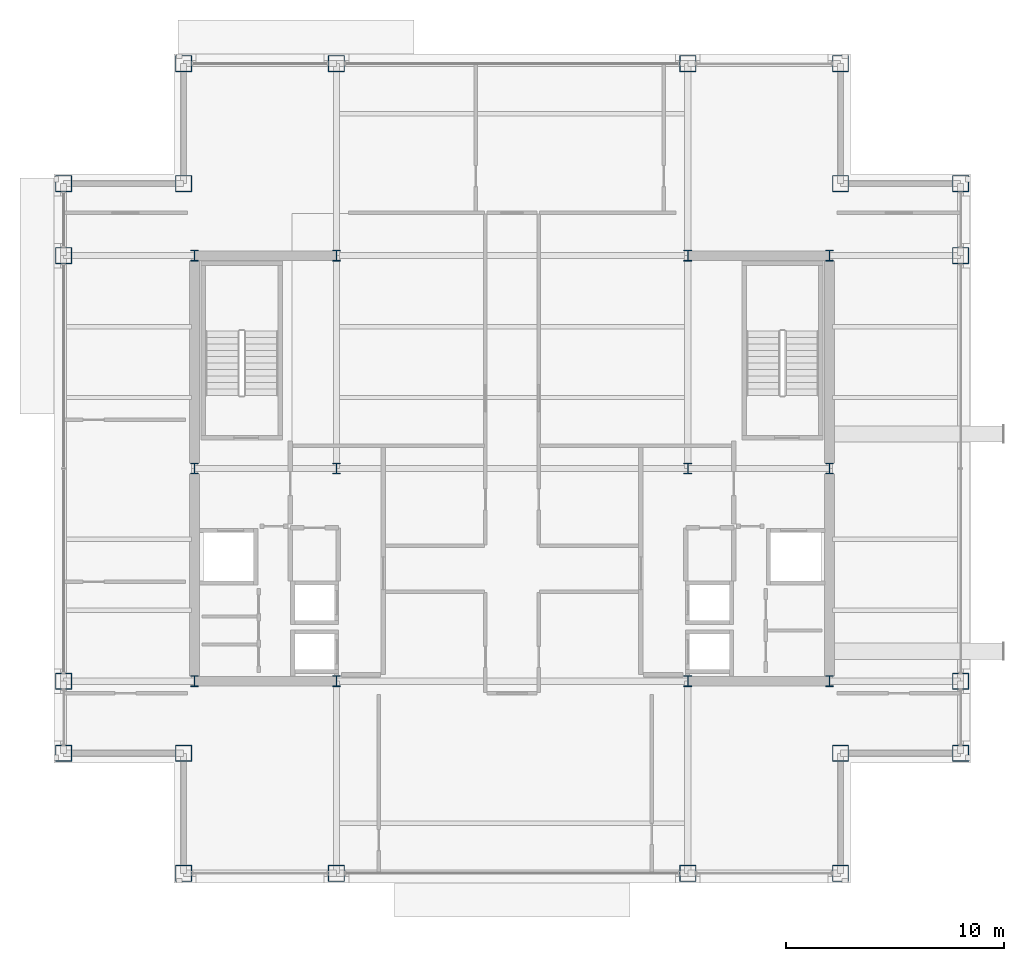
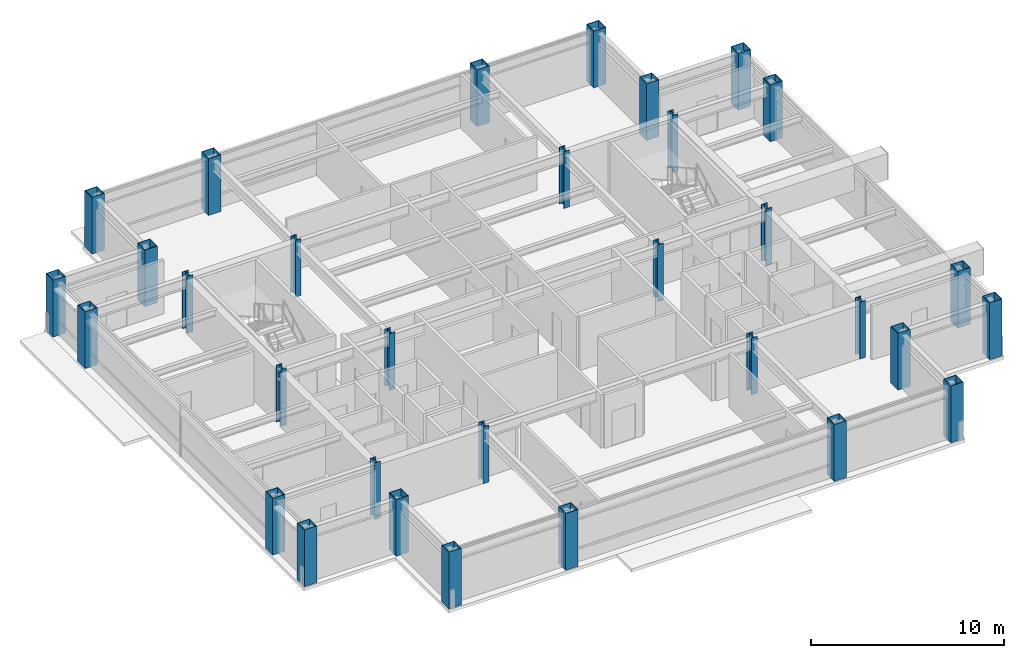
# One storey, part 1 of 26: 32 columns.
"""IFC4 building model written with IfcOpenShell, lengths in metres."""

from ifc_helpers import new_model, si_unit, direction, frame, origin, origin_2d, place, context, subcontext, project, spatial, hollow_rectangle, i_section, extrude, material, material_profile, profile_set, type_object, element, save


model = new_model("IFC4")

# Units and contexts
model_context = context("Model", 3, precision=1e-05, world=origin(), true_north=direction((0.0, 1.0)))
body_context = subcontext(model_context, "Body", "Model", "MODEL_VIEW")
ifc_project = project(units=[si_unit("LENGTHUNIT", "METRE"), si_unit("AREAUNIT", "SQUARE_METRE"), si_unit("VOLUMEUNIT", "CUBIC_METRE"), si_unit("PLANEANGLEUNIT", "RADIAN"), si_unit("MASSUNIT", "GRAM", prefix="KILO")], contexts=[model_context])

# Site, building, storey
site_placement = place(None, origin())
site = spatial("IfcSite", under=ifc_project, at=site_placement, CompositionType="ELEMENT")
building_placement = place(site_placement, origin())
building = spatial("IfcBuilding", under=site, at=building_placement, Name="Brelmoor Portico Tower", CompositionType="ELEMENT")
storey_placement = place(building_placement, frame((0.0, 0.0, 180.300048828125)))
storey = spatial("IfcBuildingStorey", under=building, at=storey_placement, Name="L47", CompositionType="ELEMENT", Elevation=180.300048828125)

# Columns
ifc_material = material(Name="Steel Q355B", Category="steel")
ifc_material_profile_1 = material_profile(ifc_material, hollow_rectangle(XDim=0.75, YDim=0.75, WallThickness=0.031982421875, at=origin_2d()), Name="BOX 750x750x32")
ifc_profile_set_1 = profile_set([ifc_material_profile_1], Name="Steel Q355B")
column_type_1 = type_object("IfcColumnType", Name="COL-MEGA-750", PredefinedType="COLUMN", material=ifc_profile_set_1)
for number, where, z_axis, x_axis, name in (
    (1, (-15.050048828125, -18.550048828125, 0.0), (0.0, 0.0, 1.0), (1.0, 0.0, 0.0), "L47 Perimeter Mega-Column PS01"),
    (2, (-8.050048828125, -18.550048828125, 0.0), (0.0, 0.0, 1.0), (1.0, 0.0, 0.0), "L47 Perimeter Mega-Column PS02"),
    (3, (8.050048828125, -18.550048828125, 0.0), (0.0, 0.0, 1.0), (1.0, 0.0, 0.0), "L47 Perimeter Mega-Column PS03"),
    (4, (15.050048828125, -18.550048828125, 0.0), (0.0, 0.0, 1.0), (1.0, 0.0, 0.0), "L47 Perimeter Mega-Column PS04"),
    (5, (-15.050048828125, 18.550048828125, 0.0), (0.0, 0.0, 1.0), (1.0, 0.0, 0.0), "L47 Perimeter Mega-Column PN01"),
    (6, (-8.050048828125, 18.550048828125, 0.0), (0.0, 0.0, 1.0), (1.0, 0.0, 0.0), "L47 Perimeter Mega-Column PN02"),
    (7, (8.050048828125, 18.550048828125, 0.0), (0.0, 0.0, 1.0), (1.0, 0.0, 0.0), "L47 Perimeter Mega-Column PN03"),
    (8, (15.050048828125, 18.550048828125, 0.0), (0.0, 0.0, 1.0), (1.0, 0.0, 0.0), "L47 Perimeter Mega-Column PN04"),
    (9, (-20.550048828125, -13.050048828125, 0.0), (0.0, 0.0, 1.0), (0.0, 1.0, 0.0), "L47 Perimeter Mega-Column PW01"),
    (10, (-20.550048828125, -9.75, 0.0), (0.0, 0.0, 1.0), (0.0, 1.0, 0.0), "L47 Perimeter Mega-Column PW02"),
    (11, (-20.550048828125, 9.75, 0.0), (0.0, 0.0, 1.0), (0.0, 1.0, 0.0), "L47 Perimeter Mega-Column PW03"),
    (12, (-20.550048828125, 13.050048828125, 0.0), (0.0, 0.0, 1.0), (0.0, 1.0, 0.0), "L47 Perimeter Mega-Column PW04"),
    (13, (20.550048828125, -13.050048828125, 0.0), (0.0, 0.0, 1.0), (0.0, 1.0, 0.0), "L47 Perimeter Mega-Column PE01"),
    (14, (20.550048828125, -9.75, 0.0), (0.0, 0.0, 1.0), (0.0, 1.0, 0.0), "L47 Perimeter Mega-Column PE02"),
    (15, (20.550048828125, 9.75, 0.0), (0.0, 0.0, 1.0), (0.0, 1.0, 0.0), "L47 Perimeter Mega-Column PE03"),
    (16, (20.550048828125, 13.050048828125, 0.0), (0.0, 0.0, 1.0), (0.0, 1.0, 0.0), "L47 Perimeter Mega-Column PE04"),
    (17, (-15.050048828125, 13.050048828125, 0.0), (0.0, 0.0, 1.0), (1.0, 0.0, 0.0), "L47 Perimeter Mega-Column PC-NW"),
    (18, (15.050048828125, 13.050048828125, 0.0), (0.0, 0.0, 1.0), (1.0, 0.0, 0.0), "L47 Perimeter Mega-Column PC-NE"),
    (19, (15.050048828125, -13.050048828125, 0.0), (0.0, 0.0, 1.0), (1.0, 0.0, 0.0), "L47 Perimeter Mega-Column PC-SE"),
    (20, (-15.050048828125, -13.050048828125, 0.0), (0.0, 0.0, 1.0), (1.0, 0.0, 0.0), "L47 Perimeter Mega-Column PC-SW"),
):
    element("IfcColumn", number, at=place(storey_placement, frame(where, z_axis=z_axis, x_axis=x_axis)), inside=storey, type_object=column_type_1, Name=name, PredefinedType="COLUMN", context=body_context, shape_type="SweptSolid", body=[
        extrude(hollow_rectangle(XDim=0.75, YDim=0.75, WallThickness=0.031982421875, at=origin_2d()), origin(), (0.0, 0.0, 1.0), 3.599853515625),
    ])
ifc_material_profile_2 = material_profile(ifc_material, i_section(OverallWidth=0.35009765625, OverallDepth=0.5, WebThickness=0.02001953125, FlangeThickness=0.031982421875, at=origin_2d()), Name="HW 500x350x20x32")
ifc_profile_set_2 = profile_set([ifc_material_profile_2], Name="Steel Q355B")
column_type_2 = type_object("IfcColumnType", Name="COL-SPINE-500", PredefinedType="COLUMN", material=ifc_profile_set_2)
for number, where, z_axis, x_axis, name in (
    (21, (-14.550048828125, -9.75, 0.0), (0.0, 0.0, 1.0), (1.0, 0.0, 0.0), "L47 Core Spine Column CW-SW"),
    (22, (-14.550048828125, 0.0, 0.0), (0.0, 0.0, 1.0), (1.0, 0.0, 0.0), "L47 Core Spine Column CW-MW"),
    (23, (-14.550048828125, 9.75, 0.0), (0.0, 0.0, 1.0), (1.0, 0.0, 0.0), "L47 Core Spine Column CW-NW"),
    (24, (-8.050048828125, -9.75, 0.0), (0.0, 0.0, 1.0), (1.0, 0.0, 0.0), "L47 Core Spine Column CW-SE"),
    (25, (-8.050048828125, 0.0, 0.0), (0.0, 0.0, 1.0), (1.0, 0.0, 0.0), "L47 Core Spine Column CW-ME"),
    (26, (-8.050048828125, 9.75, 0.0), (0.0, 0.0, 1.0), (1.0, 0.0, 0.0), "L47 Core Spine Column CW-NE"),
    (27, (8.050048828125, -9.75, 0.0), (0.0, 0.0, 1.0), (1.0, 0.0, 0.0), "L47 Core Spine Column CE-SW"),
    (28, (8.050048828125, 0.0, 0.0), (0.0, 0.0, 1.0), (1.0, 0.0, 0.0), "L47 Core Spine Column CE-MW"),
    (29, (8.050048828125, 9.75, 0.0), (0.0, 0.0, 1.0), (1.0, 0.0, 0.0), "L47 Core Spine Column CE-NW"),
    (30, (14.550048828125, -9.75, 0.0), (0.0, 0.0, 1.0), (1.0, 0.0, 0.0), "L47 Core Spine Column CE-SE"),
    (31, (14.550048828125, 0.0, 0.0), (0.0, 0.0, 1.0), (1.0, 0.0, 0.0), "L47 Core Spine Column CE-ME"),
    (32, (14.550048828125, 9.75, 0.0), (0.0, 0.0, 1.0), (1.0, 0.0, 0.0), "L47 Core Spine Column CE-NE"),
):
    element("IfcColumn", number, at=place(storey_placement, frame(where, z_axis=z_axis, x_axis=x_axis)), inside=storey, type_object=column_type_2, Name=name, PredefinedType="COLUMN", context=body_context, shape_type="SweptSolid", body=[
        extrude(i_section(OverallWidth=0.35009765625, OverallDepth=0.5, WebThickness=0.02001953125, FlangeThickness=0.031982421875, at=origin_2d()), origin(), (0.0, 0.0, 1.0), 3.599853515625),
    ])

save(model, "model.ifc")
